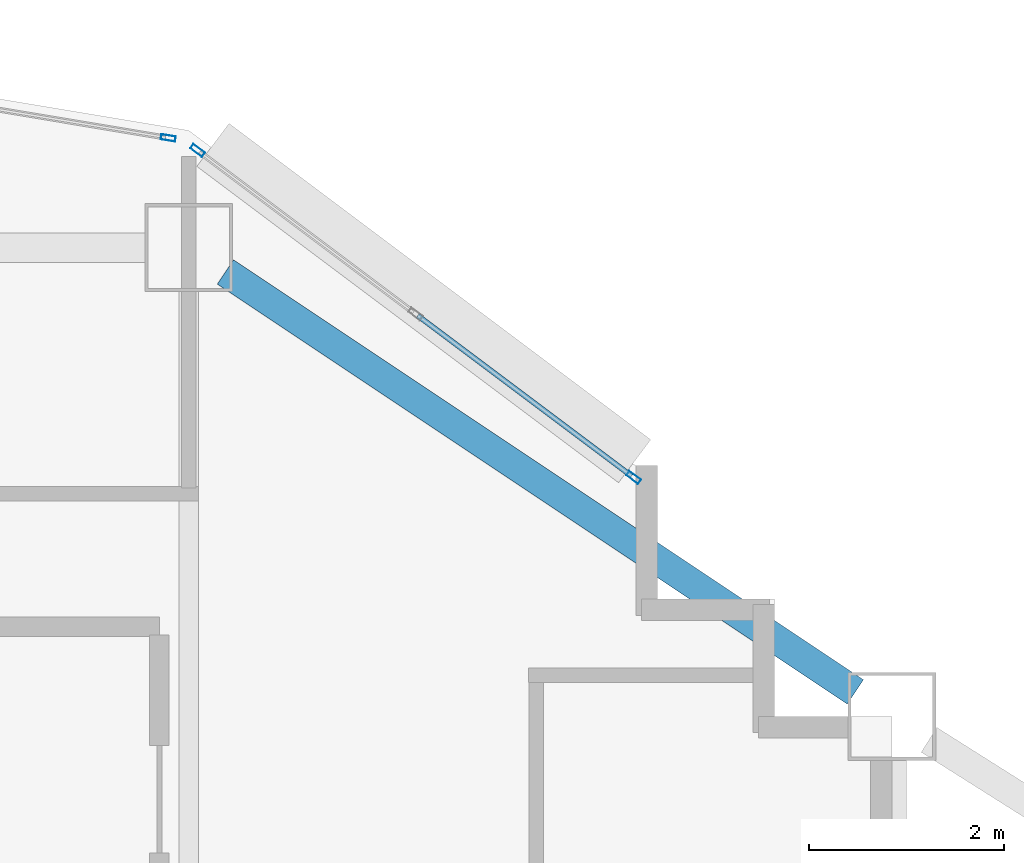
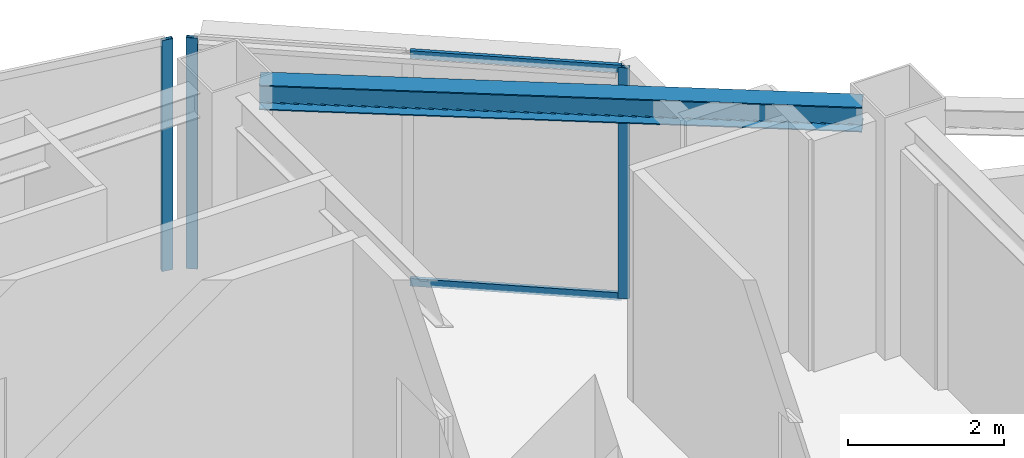
# One storey, part 3 of 11: 5 members, 1 beam, 2 elements without a shape of their own.
"""IFC4 building model written with IfcOpenShell, lengths in metres."""

from ifc_helpers import new_model, si_unit, direction, frame, origin, origin_2d, place, context, subcontext, project, spatial, hollow_rectangle, i_section, extrude, material, layer, layer_set, material_profile, profile_set, type_object, element, aggregate, save


model = new_model("IFC4")

# Units and contexts
model_context = context("Model", 3, precision=1e-05, world=origin(), true_north=direction((0.0, 1.0)))
body_context = subcontext(model_context, "Body", "Model", "MODEL_VIEW")
ifc_project = project(units=[si_unit("LENGTHUNIT", "METRE"), si_unit("AREAUNIT", "SQUARE_METRE"), si_unit("VOLUMEUNIT", "CUBIC_METRE"), si_unit("PLANEANGLEUNIT", "RADIAN"), si_unit("MASSUNIT", "GRAM", prefix="KILO")], contexts=[model_context])

# Site, building, storey
site_placement = place(None, origin())
site = spatial("IfcSite", under=ifc_project, at=site_placement, CompositionType="ELEMENT")
building_placement = place(site_placement, origin())
building = spatial("IfcBuilding", under=site, at=building_placement, Name="Haolan Belvedere Tower", CompositionType="ELEMENT")
storey_placement = place(building_placement, frame((0.0, 0.0, 172.800048828125)))
storey = spatial("IfcBuildingStorey", under=building, at=storey_placement, Name="L43", CompositionType="ELEMENT", Elevation=172.800048828125)

# Beam
ifc_material_1 = material(Name="Steel Q355B", Category="steel")
ifc_material_profile_1 = material_profile(ifc_material_1, i_section(OverallWidth=0.300048828125, OverallDepth=0.389892578125, WebThickness=0.010009765625, FlangeThickness=0.01611328125, FilletRadius=0.02197265625, at=origin_2d()), Name="Steel Q355B")
ifc_profile_set_1 = profile_set([ifc_material_profile_1], Name="Steel Q355B")
beam_type = type_object("IfcBeamType", Name="BM-HM390x300x10x16", PredefinedType="SPANDREL", material=ifc_profile_set_1)
beam_placement = place(storey_placement, frame((45.974365234375, 50.150390625, 3.425048828125), z_axis=(0.832050294338, -0.554700196225, 0.0), x_axis=(0.554700196225, 0.832050294338, 0.0)))
element("IfcBeam", 1, at=beam_placement, inside=storey, type_object=beam_type, Name="L43 spandrel girder MC-T3-N2-MC-T3-NE", PredefinedType="SPANDREL", context=body_context, shape_type="SweptSolid", body=[
    extrude(i_section(OverallWidth=0.300048828125, OverallDepth=0.389892578125, WebThickness=0.010009765625, FlangeThickness=0.01611328125, FilletRadius=0.02197265625, at=origin_2d()), origin(), (0.0, 0.0, 1.0), 7.75341796875),
])

# Curtain wall, members
ifc_material_2 = material(Name="Anodised champagne-silver aluminium 6063-T6 and Low-E glass", Category="aluminium")
ifc_layer = layer(ifc_material_2, 0.14990234375, Name="Anodised champagne-silver aluminium 6063-T6 and Low-E glass")
ifc_layer_set = layer_set([ifc_layer], Name="Anodised champagne-silver aluminium 6063-T6 and Low-E glass")
curtain_wall_type = type_object("IfcCurtainWallType", Name="CW-SYS-04", PredefinedType="NOTDEFINED", material=ifc_layer_set)
curtain_wall_1_placement = place(storey_placement, origin())
curtain_wall_1 = element("IfcCurtainWall", 2, at=curtain_wall_1_placement, inside=storey, type_object=curtain_wall_type, Name="L43 CW-SYS-04 ribbon curtain wall 20.1", PredefinedType="NOTDEFINED")
ifc_material_3 = material(Name="Anodised aluminium 6063-T6", Category="aluminium")
ifc_material_profile_2 = material_profile(ifc_material_3, hollow_rectangle(XDim=0.055908203125, YDim=0.14990234375, WallThickness=0.00390625, at=origin_2d()), Name="Anodised aluminium 6063-T6")
ifc_profile_set_2 = profile_set([ifc_material_profile_2], Name="Anodised aluminium 6063-T6")
member_type_1 = type_object("IfcMemberType", Name="CW-SYS-04-MUL", PredefinedType="MULLION", material=ifc_profile_set_2)
member_1_placement = place(storey_placement, frame((50.155517578125, 48.0458984375, 0.0), z_axis=(0.0, 0.0, 1.0), x_axis=(-0.600002837806, -0.799997871638, 0.0)))
member_1 = element("IfcMember", 3, at=member_1_placement, type_object=member_type_1, Name="CW-04 mullion 1", PredefinedType="MULLION", context=body_context, shape_type="SweptSolid", body=[
    extrude(hollow_rectangle(XDim=0.055908203125, YDim=0.14990234375, WallThickness=0.00390625, at=origin_2d()), origin(), (0.0, 0.0, 1.0), 3.619873046875),
])
member_2_placement = place(storey_placement, frame((45.68994140625, 51.39501953125, 0.0), z_axis=(0.0, 0.0, 1.0), x_axis=(-0.600002837806, -0.799997871638, 0.0)))
member_2 = element("IfcMember", 4, at=member_2_placement, type_object=member_type_1, Name="CW-04 mullion 3", PredefinedType="MULLION", context=body_context, shape_type="SweptSolid", body=[
    extrude(hollow_rectangle(XDim=0.055908203125, YDim=0.14990234375, WallThickness=0.00390625, at=origin_2d()), origin(), (0.0, 0.0, 1.0), 3.619873046875),
])

# Curtain wall, member
curtain_wall_2_placement = place(storey_placement, origin())
curtain_wall_2 = element("IfcCurtainWall", 5, at=curtain_wall_2_placement, inside=storey, type_object=curtain_wall_type, Name="L43 CW-SYS-04 ribbon curtain wall 21.1", PredefinedType="NOTDEFINED")
member_3_placement = place(storey_placement, frame((45.389892578125, 51.5234375, 0.0), z_axis=(0.0, 0.0, 1.0), x_axis=(-0.164405962825, -0.98639276122, 0.0)))
member_3 = element("IfcMember", 6, at=member_3_placement, type_object=member_type_1, Name="CW-04 mullion 1", PredefinedType="MULLION", context=body_context, shape_type="SweptSolid", body=[
    extrude(hollow_rectangle(XDim=0.055908203125, YDim=0.14990234375, WallThickness=0.00390625, at=origin_2d()), origin(), (0.0, 0.0, 1.0), 3.619873046875),
])
aggregate(curtain_wall_2, [member_3])

# Member
ifc_material_profile_3 = material_profile(ifc_material_3, hollow_rectangle(XDim=0.052001953125, YDim=0.1201171875, WallThickness=0.00390625, at=origin_2d()), Name="Anodised aluminium 6063-T6")
ifc_profile_set_3 = profile_set([ifc_material_profile_3], Name="Anodised aluminium 6063-T6")
member_type_2 = type_object("IfcMemberType", Name="CW-SYS-04-TRN", PredefinedType="USERDEFINED", material=ifc_profile_set_3)
member_4_placement = place(storey_placement, frame((50.13330078125, 48.0625, 0.02587890625), z_axis=(-0.800010710715, 0.59998571878, 0.0), x_axis=(-0.59998571878, -0.800010710715, 0.0)))
member_4 = element("IfcMember", 7, at=member_4_placement, type_object=member_type_2, Name="CW-04 transom 1.1", ObjectType="TRANSOM", PredefinedType="USERDEFINED", context=body_context, shape_type="SweptSolid", body=[
    extrude(hollow_rectangle(XDim=0.052001953125, YDim=0.1201171875, WallThickness=0.00390625, at=origin_2d()), origin(), (0.0, 0.0, 1.0), 2.7353515625),
])

member_5_placement = place(storey_placement, frame((50.13330078125, 48.0625, 3.593994140625), z_axis=(-0.800010710715, 0.59998571878, 0.0), x_axis=(-0.59998571878, -0.800010710715, 0.0)))
member_5 = element("IfcMember", 8, at=member_5_placement, type_object=member_type_2, Name="CW-04 transom 1.2", ObjectType="TRANSOM", PredefinedType="USERDEFINED", context=body_context, shape_type="SweptSolid", body=[
    extrude(hollow_rectangle(XDim=0.052001953125, YDim=0.1201171875, WallThickness=0.00390625, at=origin_2d()), origin(), (0.0, 0.0, 1.0), 2.7353515625),
])

aggregate(curtain_wall_1, [member_1, member_2, member_4, member_5])

save(model, "model.ifc")
